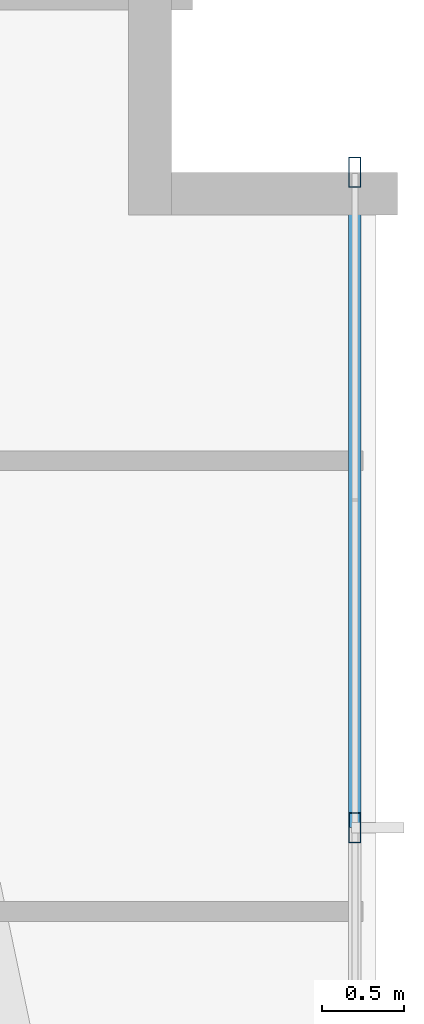
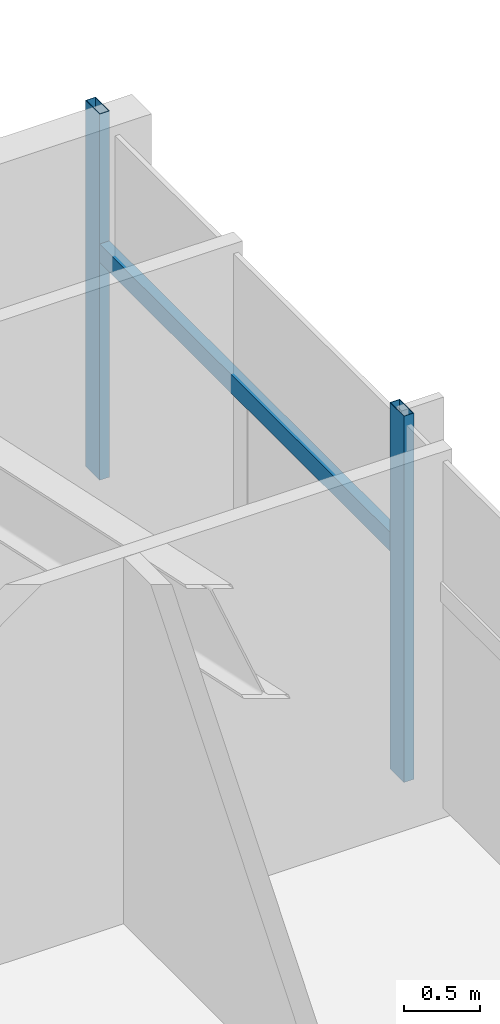
# One storey, part 17 of 25: 3 members, 1 element without a shape of its own.
"""IFC4 building model written with IfcOpenShell, lengths in metres."""

import ifcopenshell
import ifcopenshell.guid

model = None  # the IFC model being written
_history = None  # IfcOwnerHistory: only IFC2X3 demands one
_inside = {}  # id of a spatial element -> (the spatial element, [elements in it])
_under = {}  # id of a project, library or spatial element -> (it, [spatial elements below it])
_declared = {}  # id of a project -> (the project, [libraries it declares])
_typed = {}  # id of a type object -> (the type object, [elements of that type])
_made_of = {}  # id of a material, layer set ... -> (it, [elements and type objects made of it])


def new_model(schema):
    """Start an empty IFC model of exactly this schema.

    Asked for "IFC4X3", IfcOpenShell would pick the latest addendum, in which some entities
    have other attributes; the version numbers below select the first issue.
    IFC2X3 requires an IfcOwnerHistory on every rooted entity: one is made here for all.
    """
    global model, _history
    if schema == "IFC4X3":
        model = ifcopenshell.file(schema_version=(4, 3, 0, 0))
    else:
        model = ifcopenshell.file(schema=schema)
    _inside.clear()
    _under.clear()
    _declared.clear()
    _typed.clear()
    _made_of.clear()
    _history = None
    if model.schema == "IFC2X3":
        org = make("IfcOrganization", Name="unknown")
        user = make(
            "IfcPersonAndOrganization",
            ThePerson=make("IfcPerson", FamilyName="unknown"),
            TheOrganization=org,
        )
        app = make(
            "IfcApplication",
            ApplicationDeveloper=org,
            Version="unknown",
            ApplicationFullName="unknown",
            ApplicationIdentifier="unknown",
        )
        _history = make(
            "IfcOwnerHistory",
            OwningUser=user,
            OwningApplication=app,
            ChangeAction="ADDED",
            CreationDate=0,
        )
    return model


def make(cls, **values):
    """One entity of the class cls with the attributes given. An attribute that is None is left unset."""
    return model.create_entity(
        cls, **{name: value for name, value in values.items() if value is not None}
    )


def rooted(cls, **values):
    """An entity with a GlobalId (a new one), such as an element, a storey or a relation."""
    return make(cls, GlobalId=ifcopenshell.guid.new(), OwnerHistory=_history, **values)


def si_unit(unit_type, name, prefix=None):
    """IfcSIUnit, for example si_unit("LENGTHUNIT", "METRE", prefix="MILLI")."""
    return make("IfcSIUnit", UnitType=unit_type, Prefix=prefix, Name=name)


def assignment(units):
    """IfcUnitAssignment: the units of a project."""
    return None if units is None else make("IfcUnitAssignment", Units=units)


def point(xyz):
    """IfcCartesianPoint."""
    return None if xyz is None else make("IfcCartesianPoint", Coordinates=xyz)


def direction(xyz):
    """IfcDirection."""
    return None if xyz is None else make("IfcDirection", DirectionRatios=xyz)


def frame(location, z_axis=None, x_axis=None):
    """IfcAxis2Placement3D, a coordinate frame: its origin and axes. An axis left out is left unset."""
    return make(
        "IfcAxis2Placement3D",
        Location=point(location),
        Axis=direction(z_axis),
        RefDirection=direction(x_axis),
    )


def frame_2d(location, x_axis=None):
    """IfcAxis2Placement2D, a coordinate frame in the plane: its origin and x axis."""
    return make(
        "IfcAxis2Placement2D", Location=point(location), RefDirection=direction(x_axis)
    )


def origin():
    """The frame at (0, 0, 0) with its axes left unset."""
    return frame((0.0, 0.0, 0.0))


def origin_2d():
    """The frame at (0, 0) in the plane with its x axis left unset."""
    return frame_2d((0.0, 0.0))


def place(relative_to, where):
    """IfcLocalPlacement: puts the frame where relative to a parent placement (None: the world)."""
    return make(
        "IfcLocalPlacement", PlacementRelTo=relative_to, RelativePlacement=where
    )


def context(
    kind, dimensions, precision=None, world=None, true_north=None, identifier=None
):
    """IfcGeometricRepresentationContext, for example the 3D "Model" context."""
    return make(
        "IfcGeometricRepresentationContext",
        ContextIdentifier=identifier,
        ContextType=kind,
        CoordinateSpaceDimension=dimensions,
        Precision=precision,
        WorldCoordinateSystem=world,
        TrueNorth=true_north,
    )


def subcontext(parent, identifier, kind, view, scale=None):
    """IfcGeometricRepresentationSubContext, for example "Body" below "Model"."""
    return make(
        "IfcGeometricRepresentationSubContext",
        ContextIdentifier=identifier,
        ContextType=kind,
        ParentContext=parent,
        TargetScale=scale,
        TargetView=view,
    )


def project(units=None, contexts=None):
    """IfcProject with its units and contexts."""
    return rooted(
        "IfcProject",
        Name="project",
        RepresentationContexts=contexts,
        UnitsInContext=assignment(units),
    )


def spatial(cls, under=None, at=None, **own):
    """A site, building, storey or space (cls), placed at a placement, below another one or the project."""
    s = rooted(cls, ObjectPlacement=at, **own)
    if under is not None:
        _under.setdefault(under.id(), (under, []))[1].append(s)
    return s


def profile(cls, at=None, kind="AREA", **sizes):
    """A parametric profile (cls). Its sizes go by their IFC names, for example OverallWidth=200.0."""
    return make(cls, ProfileType=kind, Position=at, **sizes)


def hollow_rectangle(**sizes):
    """IfcRectangleHollowProfileDef."""
    return profile("IfcRectangleHollowProfileDef", **sizes)


def extrude(swept, where, along, depth):
    """IfcExtrudedAreaSolid: the profile swept, set in the frame where, extruded along a direction by depth."""
    return make(
        "IfcExtrudedAreaSolid",
        SweptArea=swept,
        Position=where,
        ExtrudedDirection=direction(along),
        Depth=depth,
    )


def shape(context_of_items, identifier, shape_type, items):
    """IfcShapeRepresentation: the items that make up one representation, for example the "Body"."""
    return make(
        "IfcShapeRepresentation",
        ContextOfItems=context_of_items,
        RepresentationIdentifier=identifier,
        RepresentationType=shape_type,
        Items=items,
    )


def source(mapping_origin, context_of_items, identifier, shape_type, items):
    """IfcRepresentationMap: a shape defined once, which mapped items show again and again."""
    return make(
        "IfcRepresentationMap",
        MappingOrigin=mapping_origin,
        MappedRepresentation=shape(context_of_items, identifier, shape_type, items),
    )


def transform(
    local_origin,
    x_axis=None,
    y_axis=None,
    z_axis=None,
    scale=None,
    scale2=None,
    scale3=None,
    uniform=True,
):
    """IfcCartesianTransformationOperator3D, or its non-uniform kind. x_axis, y_axis, z_axis: its Axis1, 2, 3."""
    if uniform:
        return make(
            "IfcCartesianTransformationOperator3D",
            Axis1=direction(x_axis),
            Axis2=direction(y_axis),
            LocalOrigin=point(local_origin),
            Scale=scale,
            Axis3=direction(z_axis),
        )
    return make(
        "IfcCartesianTransformationOperator3DnonUniform",
        Axis1=direction(x_axis),
        Axis2=direction(y_axis),
        LocalOrigin=point(local_origin),
        Scale=scale,
        Axis3=direction(z_axis),
        Scale2=scale2,
        Scale3=scale3,
    )


def mapped(mapping_source, mapping_target):
    """IfcMappedItem: shows the shape of a source again, moved by a transform."""
    return make(
        "IfcMappedItem", MappingSource=mapping_source, MappingTarget=mapping_target
    )


def material(Name=None, Category=None):
    """IfcMaterial."""
    return make("IfcMaterial", Name=Name, Category=Category)


def material_profile(
    of_material, cross_section, Name=None, Category=None, Priority=None
):
    """IfcMaterialProfile: a cross section and its material."""
    return make(
        "IfcMaterialProfile",
        Name=Name,
        Material=of_material,
        Profile=cross_section,
        Priority=Priority,
        Category=Category,
    )


def profile_set(profiles, Name=None, composite=None):
    """IfcMaterialProfileSet."""
    return make(
        "IfcMaterialProfileSet",
        Name=Name,
        MaterialProfiles=profiles,
        CompositeProfile=composite,
    )


def made_of(thing, what):
    """Note that an element or type object is made of a material, layer set ...; save() writes the relation."""
    if what is not None:
        _made_of.setdefault(what.id(), (what, []))[1].append(thing)
    return thing


def type_object(cls, material=None, **own):
    """A type object (cls), such as IfcWallType, which elements share."""
    return made_of(rooted(cls, **own), material)


def type_shapes(of_type, sources):
    """Give a type object the sources (RepresentationMaps) that its elements show as mapped items."""
    of_type.RepresentationMaps = sources


def element(
    cls,
    number,
    at=None,
    inside=None,
    cuts=None,
    type_object=None,
    material=None,
    context=None,
    identifier="Body",
    shape_type=None,
    held_by="IfcProductDefinitionShape",
    body=None,
    shapes=None,
    **own,
):
    """One element of the class cls, such as IfcWall. Its Tag is "e" and its number.

    at: its placement. inside: the storey or other place that contains it. cuts: it is an
    opening in that element (IfcRelVoidsElement). A single representation is given by context,
    identifier, shape_type and body (its items); several are given by shapes. held_by: the class
    of the entity that holds the representations. save() writes the other relations.
    """
    e = rooted(cls, Tag="e%d" % number, ObjectPlacement=at, **own)
    if body is not None:
        shapes = [shape(context, identifier, shape_type, body)]
    if shapes is not None:
        e.Representation = make(held_by, Representations=shapes)
    if inside is not None:
        _inside.setdefault(inside.id(), (inside, []))[1].append(e)
    if cuts is not None:
        rooted(
            "IfcRelVoidsElement", RelatingBuildingElement=cuts, RelatedOpeningElement=e
        )
    if type_object is not None:
        _typed.setdefault(type_object.id(), (type_object, []))[1].append(e)
    return made_of(e, material)


def aggregate(whole, parts):
    """IfcRelAggregates: a whole, such as a stair, and the parts it consists of."""
    return rooted("IfcRelAggregates", RelatingObject=whole, RelatedObjects=parts)


def save(model, path):
    """Write the relations noted so far, then the file.

    IfcRelAggregates (storeys below a building ...), IfcRelContainedInSpatialStructure (elements
    in a storey), IfcRelDefinesByType, IfcRelAssociatesMaterial and IfcRelDeclares: one each for
    every whole, place, type object, material and project.
    """
    for whole, parts in _under.values():
        aggregate(whole, parts)
    for where, things in _inside.values():
        rooted(
            "IfcRelContainedInSpatialStructure",
            RelatedElements=things,
            RelatingStructure=where,
        )
    for kind, things in _typed.values():
        rooted("IfcRelDefinesByType", RelatedObjects=things, RelatingType=kind)
    for what, things in _made_of.values():
        rooted("IfcRelAssociatesMaterial", RelatedObjects=things, RelatingMaterial=what)
    for by, libraries in _declared.values():
        rooted("IfcRelDeclares", RelatingContext=by, RelatedDefinitions=libraries)
    model.write(path)


model = new_model("IFC4")

# Units and contexts
model_context = context("Model", 3, precision=1e-05, world=origin(), true_north=direction((0.0, 1.0)))
body_context = subcontext(model_context, "Body", "Model", "MODEL_VIEW")
ifc_project = project(units=[si_unit("LENGTHUNIT", "METRE"), si_unit("AREAUNIT", "SQUARE_METRE"), si_unit("VOLUMEUNIT", "CUBIC_METRE"), si_unit("PLANEANGLEUNIT", "RADIAN"), si_unit("MASSUNIT", "GRAM", prefix="KILO")], contexts=[model_context])

# Site, building, storey
site_placement = place(None, origin())
site = spatial("IfcSite", under=ifc_project, at=site_placement, CompositionType="ELEMENT")
building_placement = place(site_placement, origin())
building = spatial("IfcBuilding", under=site, at=building_placement, Name="Astriad Promenade Condominiums", CompositionType="ELEMENT")
storey_placement = place(building_placement, frame((0.0, 0.0, 55.0)))
storey = spatial("IfcBuildingStorey", under=building, at=storey_placement, Name="L15", CompositionType="ELEMENT", Elevation=55.0)

# Curtain wall, members
ifc_material_1 = material(Name="Anodised aluminium Black Dark Glass Unitised", Category="aluminium")
curtain_wall_type = type_object("IfcCurtainWallType", Name="CW-B1-DARK", PredefinedType="USERDEFINED", material=ifc_material_1)
curtain_wall_placement = place(storey_placement, origin())
curtain_wall = element("IfcCurtainWall", 1, at=curtain_wall_placement, inside=storey, type_object=curtain_wall_type, Name="CW-L15-E", ObjectType="UNITISED_CURTAIN_WALL", PredefinedType="USERDEFINED")
ifc_material_2 = material(Name="Anodised aluminium 6063-T6 Black", Category="aluminium")
ifc_material_profile_1 = material_profile(ifc_material_2, hollow_rectangle(XDim=0.074951171875, YDim=0.18505859375, WallThickness=0.00439453125, at=origin_2d()), Name="ALU-MUL-75X185")
ifc_profile_set_1 = profile_set([ifc_material_profile_1], Name="Anodised aluminium 6063-T6 Black")
member_type_1 = type_object("IfcMemberType", Name="MUL-ALU-MUL-75X185", PredefinedType="MULLION", material=ifc_profile_set_1)
shared_shape_1 = source(origin(), body_context, "Body", "SweptSolid", [
    extrude(hollow_rectangle(XDim=0.074951171875, YDim=0.18505859375, WallThickness=0.00439453125, at=origin_2d()), origin(), (0.0, 0.0, 1.0), 2.93994140625),
])
type_shapes(member_type_1, [shared_shape_1])
member_1_placement = place(storey_placement, frame((59.669921875, 25.199951171875, 0.0), z_axis=(0.0, 0.0, 1.0), x_axis=(1.0, 0.0, 0.0)))
member_1 = element("IfcMember", 2, at=member_1_placement, type_object=member_type_1, Name="CW-L15-E-MUL-00", PredefinedType="MULLION", context=body_context, shape_type="MappedRepresentation", body=[
    mapped(shared_shape_1, transform((0.0, 0.0, 0.0), scale=1.0)),
])
member_2_placement = place(storey_placement, frame((59.669921875, 21.199951171875, 0.0), z_axis=(0.0, 0.0, 1.0), x_axis=(1.0, 0.0, 0.0)))
member_2 = element("IfcMember", 3, at=member_2_placement, type_object=member_type_1, Name="CW-L15-E-MUL-01", PredefinedType="MULLION", context=body_context, shape_type="MappedRepresentation", body=[
    mapped(shared_shape_1, transform((0.0, 0.0, 0.0), scale=1.0)),
])
ifc_material_profile_2 = material_profile(ifc_material_2, hollow_rectangle(XDim=0.074951171875, YDim=0.14990234375, WallThickness=0.004150390625, at=origin_2d()), Name="ALU-TRN-75X150")
ifc_profile_set_2 = profile_set([ifc_material_profile_2], Name="Anodised aluminium 6063-T6 Black")
member_type_2 = type_object("IfcMemberType", Name="TRN-ALU-TRN-75X150", PredefinedType="USERDEFINED", material=ifc_profile_set_2)
shared_shape_2 = source(origin(), body_context, "Body", "SweptSolid", [
    extrude(hollow_rectangle(XDim=0.074951171875, YDim=0.14990234375, WallThickness=0.004150390625, at=origin_2d()), origin(), (0.0, 0.0, 1.0), 4.0),
])
type_shapes(member_type_2, [shared_shape_2])
member_3_placement = place(storey_placement, frame((59.669921875, 25.199951171875, 1.82275390625), z_axis=(0.0, -1.0, 0.0), x_axis=(1.0, 0.0, 0.0)))
member_3 = element("IfcMember", 4, at=member_3_placement, type_object=member_type_2, Name="CW-L15-E-TRN-00-0", ObjectType="TRANSOM", PredefinedType="USERDEFINED", context=body_context, shape_type="MappedRepresentation", body=[
    mapped(shared_shape_2, transform((0.0, 0.0, 0.0), scale=1.0)),
])
aggregate(curtain_wall, [member_1, member_2, member_3])

save(model, "model.ifc")
